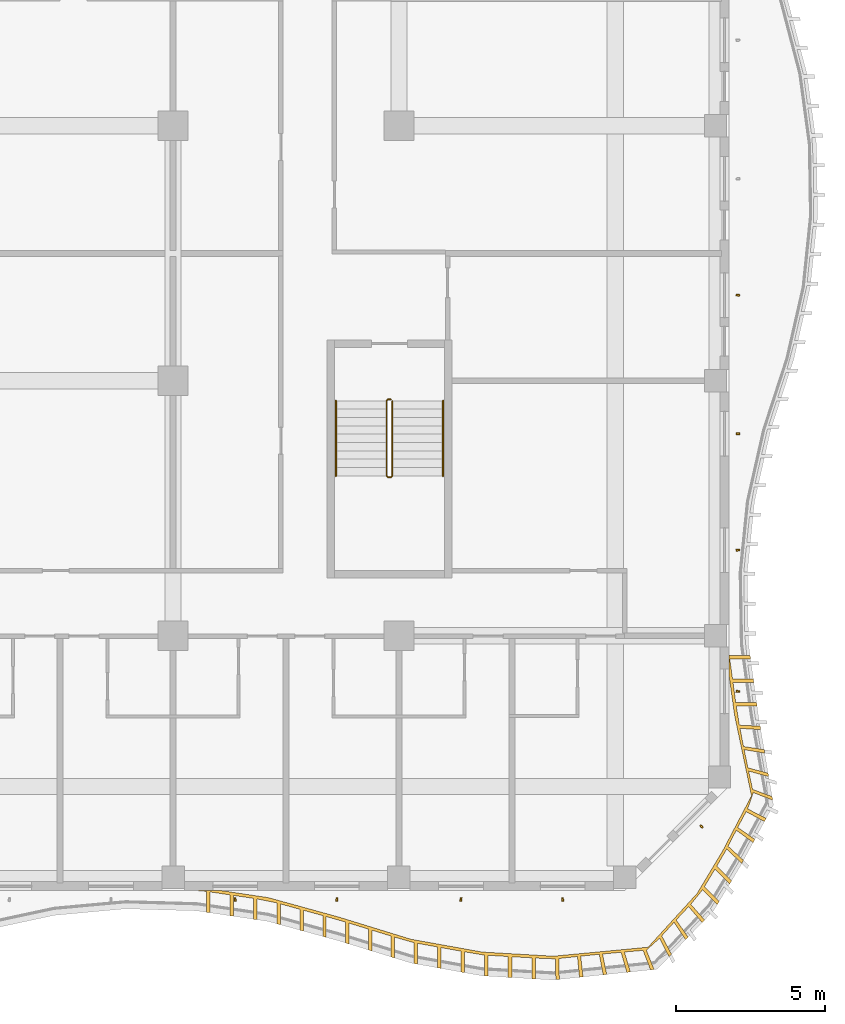
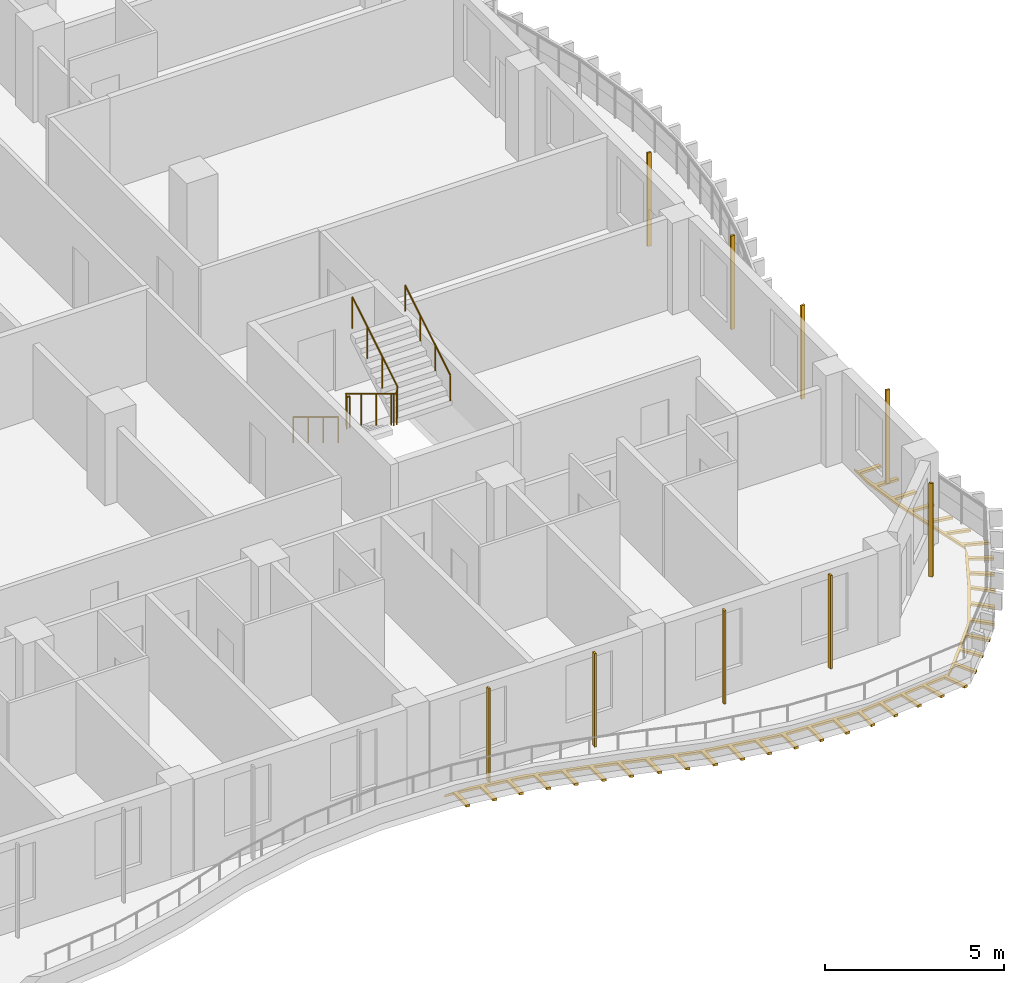
# One storey, part 18 of 22: 10 shading devices, 3 railings.
"""IFC4 building model written with IfcOpenShell, lengths in metres."""

import ifcopenshell
import ifcopenshell.guid

model = None  # the IFC model being written
_history = None  # IfcOwnerHistory: only IFC2X3 demands one
_inside = {}  # id of a spatial element -> (the spatial element, [elements in it])
_under = {}  # id of a project, library or spatial element -> (it, [spatial elements below it])
_declared = {}  # id of a project -> (the project, [libraries it declares])
_typed = {}  # id of a type object -> (the type object, [elements of that type])
_made_of = {}  # id of a material, layer set ... -> (it, [elements and type objects made of it])


def new_model(schema):
    """Start an empty IFC model of exactly this schema.

    Asked for "IFC4X3", IfcOpenShell would pick the latest addendum, in which some entities
    have other attributes; the version numbers below select the first issue.
    IFC2X3 requires an IfcOwnerHistory on every rooted entity: one is made here for all.
    """
    global model, _history
    if schema == "IFC4X3":
        model = ifcopenshell.file(schema_version=(4, 3, 0, 0))
    else:
        model = ifcopenshell.file(schema=schema)
    _inside.clear()
    _under.clear()
    _declared.clear()
    _typed.clear()
    _made_of.clear()
    _history = None
    if model.schema == "IFC2X3":
        org = make("IfcOrganization", Name="unknown")
        user = make(
            "IfcPersonAndOrganization",
            ThePerson=make("IfcPerson", FamilyName="unknown"),
            TheOrganization=org,
        )
        app = make(
            "IfcApplication",
            ApplicationDeveloper=org,
            Version="unknown",
            ApplicationFullName="unknown",
            ApplicationIdentifier="unknown",
        )
        _history = make(
            "IfcOwnerHistory",
            OwningUser=user,
            OwningApplication=app,
            ChangeAction="ADDED",
            CreationDate=0,
        )
    return model


def make(cls, **values):
    """One entity of the class cls with the attributes given. An attribute that is None is left unset."""
    return model.create_entity(
        cls, **{name: value for name, value in values.items() if value is not None}
    )


def rooted(cls, **values):
    """An entity with a GlobalId (a new one), such as an element, a storey or a relation."""
    return make(cls, GlobalId=ifcopenshell.guid.new(), OwnerHistory=_history, **values)


def si_unit(unit_type, name, prefix=None):
    """IfcSIUnit, for example si_unit("LENGTHUNIT", "METRE", prefix="MILLI")."""
    return make("IfcSIUnit", UnitType=unit_type, Prefix=prefix, Name=name)


def assignment(units):
    """IfcUnitAssignment: the units of a project."""
    return None if units is None else make("IfcUnitAssignment", Units=units)


def point(xyz):
    """IfcCartesianPoint."""
    return None if xyz is None else make("IfcCartesianPoint", Coordinates=xyz)


def direction(xyz):
    """IfcDirection."""
    return None if xyz is None else make("IfcDirection", DirectionRatios=xyz)


def frame(location, z_axis=None, x_axis=None):
    """IfcAxis2Placement3D, a coordinate frame: its origin and axes. An axis left out is left unset."""
    return make(
        "IfcAxis2Placement3D",
        Location=point(location),
        Axis=direction(z_axis),
        RefDirection=direction(x_axis),
    )


def frame_2d(location, x_axis=None):
    """IfcAxis2Placement2D, a coordinate frame in the plane: its origin and x axis."""
    return make(
        "IfcAxis2Placement2D", Location=point(location), RefDirection=direction(x_axis)
    )


def origin():
    """The frame at (0, 0, 0) with its axes left unset."""
    return frame((0.0, 0.0, 0.0))


def origin_2d():
    """The frame at (0, 0) in the plane with its x axis left unset."""
    return frame_2d((0.0, 0.0))


def place(relative_to, where):
    """IfcLocalPlacement: puts the frame where relative to a parent placement (None: the world)."""
    return make(
        "IfcLocalPlacement", PlacementRelTo=relative_to, RelativePlacement=where
    )


def context(
    kind, dimensions, precision=None, world=None, true_north=None, identifier=None
):
    """IfcGeometricRepresentationContext, for example the 3D "Model" context."""
    return make(
        "IfcGeometricRepresentationContext",
        ContextIdentifier=identifier,
        ContextType=kind,
        CoordinateSpaceDimension=dimensions,
        Precision=precision,
        WorldCoordinateSystem=world,
        TrueNorth=true_north,
    )


def subcontext(parent, identifier, kind, view, scale=None):
    """IfcGeometricRepresentationSubContext, for example "Body" below "Model"."""
    return make(
        "IfcGeometricRepresentationSubContext",
        ContextIdentifier=identifier,
        ContextType=kind,
        ParentContext=parent,
        TargetScale=scale,
        TargetView=view,
    )


def project(units=None, contexts=None):
    """IfcProject with its units and contexts."""
    return rooted(
        "IfcProject",
        Name="project",
        RepresentationContexts=contexts,
        UnitsInContext=assignment(units),
    )


def spatial(cls, under=None, at=None, **own):
    """A site, building, storey or space (cls), placed at a placement, below another one or the project."""
    s = rooted(cls, ObjectPlacement=at, **own)
    if under is not None:
        _under.setdefault(under.id(), (under, []))[1].append(s)
    return s


def polyline(points):
    """IfcPolyline through the points."""
    return make("IfcPolyline", Points=[point(p) for p in points])


def profile(cls, at=None, kind="AREA", **sizes):
    """A parametric profile (cls). Its sizes go by their IFC names, for example OverallWidth=200.0."""
    return make(cls, ProfileType=kind, Position=at, **sizes)


def rectangle(**sizes):
    """IfcRectangleProfileDef."""
    return profile("IfcRectangleProfileDef", **sizes)


def circle(**sizes):
    """IfcCircleProfileDef."""
    return profile("IfcCircleProfileDef", **sizes)


def outline(outer, holes=None, kind="AREA"):
    """IfcArbitraryClosedProfileDef: a profile drawn as a closed curve; with holes, ...WithVoids."""
    if holes is None:
        return make("IfcArbitraryClosedProfileDef", ProfileType=kind, OuterCurve=outer)
    return make(
        "IfcArbitraryProfileDefWithVoids",
        ProfileType=kind,
        OuterCurve=outer,
        InnerCurves=holes,
    )


def extrude(swept, where, along, depth):
    """IfcExtrudedAreaSolid: the profile swept, set in the frame where, extruded along a direction by depth."""
    return make(
        "IfcExtrudedAreaSolid",
        SweptArea=swept,
        Position=where,
        ExtrudedDirection=direction(along),
        Depth=depth,
    )


def shape(context_of_items, identifier, shape_type, items):
    """IfcShapeRepresentation: the items that make up one representation, for example the "Body"."""
    return make(
        "IfcShapeRepresentation",
        ContextOfItems=context_of_items,
        RepresentationIdentifier=identifier,
        RepresentationType=shape_type,
        Items=items,
    )


def source(mapping_origin, context_of_items, identifier, shape_type, items):
    """IfcRepresentationMap: a shape defined once, which mapped items show again and again."""
    return make(
        "IfcRepresentationMap",
        MappingOrigin=mapping_origin,
        MappedRepresentation=shape(context_of_items, identifier, shape_type, items),
    )


def transform(
    local_origin,
    x_axis=None,
    y_axis=None,
    z_axis=None,
    scale=None,
    scale2=None,
    scale3=None,
    uniform=True,
):
    """IfcCartesianTransformationOperator3D, or its non-uniform kind. x_axis, y_axis, z_axis: its Axis1, 2, 3."""
    if uniform:
        return make(
            "IfcCartesianTransformationOperator3D",
            Axis1=direction(x_axis),
            Axis2=direction(y_axis),
            LocalOrigin=point(local_origin),
            Scale=scale,
            Axis3=direction(z_axis),
        )
    return make(
        "IfcCartesianTransformationOperator3DnonUniform",
        Axis1=direction(x_axis),
        Axis2=direction(y_axis),
        LocalOrigin=point(local_origin),
        Scale=scale,
        Axis3=direction(z_axis),
        Scale2=scale2,
        Scale3=scale3,
    )


def mapped(mapping_source, mapping_target):
    """IfcMappedItem: shows the shape of a source again, moved by a transform."""
    return make(
        "IfcMappedItem", MappingSource=mapping_source, MappingTarget=mapping_target
    )


def material(Name=None, Category=None):
    """IfcMaterial."""
    return make("IfcMaterial", Name=Name, Category=Category)


def layer(
    of_material, thickness, ventilated=None, Name=None, Category=None, Priority=None
):
    """IfcMaterialLayer: one layer of a wall or slab, of a material (None: an air gap)."""
    return make(
        "IfcMaterialLayer",
        Material=of_material,
        LayerThickness=thickness,
        IsVentilated=ventilated,
        Name=Name,
        Category=Category,
        Priority=Priority,
    )


def layer_set(layers, Name=None):
    """IfcMaterialLayerSet."""
    return make("IfcMaterialLayerSet", MaterialLayers=layers, LayerSetName=Name)


def material_profile(
    of_material, cross_section, Name=None, Category=None, Priority=None
):
    """IfcMaterialProfile: a cross section and its material."""
    return make(
        "IfcMaterialProfile",
        Name=Name,
        Material=of_material,
        Profile=cross_section,
        Priority=Priority,
        Category=Category,
    )


def profile_set(profiles, Name=None, composite=None):
    """IfcMaterialProfileSet."""
    return make(
        "IfcMaterialProfileSet",
        Name=Name,
        MaterialProfiles=profiles,
        CompositeProfile=composite,
    )


def made_of(thing, what):
    """Note that an element or type object is made of a material, layer set ...; save() writes the relation."""
    if what is not None:
        _made_of.setdefault(what.id(), (what, []))[1].append(thing)
    return thing


def type_object(cls, material=None, **own):
    """A type object (cls), such as IfcWallType, which elements share."""
    return made_of(rooted(cls, **own), material)


def element(
    cls,
    number,
    at=None,
    inside=None,
    cuts=None,
    type_object=None,
    material=None,
    context=None,
    identifier="Body",
    shape_type=None,
    held_by="IfcProductDefinitionShape",
    body=None,
    shapes=None,
    **own,
):
    """One element of the class cls, such as IfcWall. Its Tag is "e" and its number.

    at: its placement. inside: the storey or other place that contains it. cuts: it is an
    opening in that element (IfcRelVoidsElement). A single representation is given by context,
    identifier, shape_type and body (its items); several are given by shapes. held_by: the class
    of the entity that holds the representations. save() writes the other relations.
    """
    e = rooted(cls, Tag="e%d" % number, ObjectPlacement=at, **own)
    if body is not None:
        shapes = [shape(context, identifier, shape_type, body)]
    if shapes is not None:
        e.Representation = make(held_by, Representations=shapes)
    if inside is not None:
        _inside.setdefault(inside.id(), (inside, []))[1].append(e)
    if cuts is not None:
        rooted(
            "IfcRelVoidsElement", RelatingBuildingElement=cuts, RelatedOpeningElement=e
        )
    if type_object is not None:
        _typed.setdefault(type_object.id(), (type_object, []))[1].append(e)
    return made_of(e, material)


def aggregate(whole, parts):
    """IfcRelAggregates: a whole, such as a stair, and the parts it consists of."""
    return rooted("IfcRelAggregates", RelatingObject=whole, RelatedObjects=parts)


def save(model, path):
    """Write the relations noted so far, then the file.

    IfcRelAggregates (storeys below a building ...), IfcRelContainedInSpatialStructure (elements
    in a storey), IfcRelDefinesByType, IfcRelAssociatesMaterial and IfcRelDeclares: one each for
    every whole, place, type object, material and project.
    """
    for whole, parts in _under.values():
        aggregate(whole, parts)
    for where, things in _inside.values():
        rooted(
            "IfcRelContainedInSpatialStructure",
            RelatedElements=things,
            RelatingStructure=where,
        )
    for kind, things in _typed.values():
        rooted("IfcRelDefinesByType", RelatedObjects=things, RelatingType=kind)
    for what, things in _made_of.values():
        rooted("IfcRelAssociatesMaterial", RelatedObjects=things, RelatingMaterial=what)
    for by, libraries in _declared.values():
        rooted("IfcRelDeclares", RelatingContext=by, RelatedDefinitions=libraries)
    model.write(path)


model = new_model("IFC4")

# Units and contexts
model_context = context("Model", 3, precision=1e-05, world=origin(), true_north=direction((0.0, 1.0)))
body_context = subcontext(model_context, "Body", "Model", "MODEL_VIEW")
ifc_project = project(units=[si_unit("LENGTHUNIT", "METRE"), si_unit("AREAUNIT", "SQUARE_METRE"), si_unit("VOLUMEUNIT", "CUBIC_METRE"), si_unit("PLANEANGLEUNIT", "RADIAN"), si_unit("MASSUNIT", "GRAM", prefix="KILO")], contexts=[model_context])

# Site, building, storey
site_placement = place(None, origin())
site = spatial("IfcSite", under=ifc_project, at=site_placement, CompositionType="ELEMENT")
building_placement = place(site_placement, origin())
building = spatial("IfcBuilding", under=site, at=building_placement, Name="Kilnfold Tower and Market Hall", CompositionType="ELEMENT")
storey_placement = place(building_placement, frame((0.0, 0.0, 206.699951171875)))
storey = spatial("IfcBuildingStorey", under=building, at=storey_placement, Name="L50", CompositionType="ELEMENT", Elevation=206.699951171875)

# Railings
ifc_material_1 = material(Name="Stainless steel 316", Category="steel")
railing_type_1 = type_object("IfcRailingType", Name="CORE STAIR GUARD 1100", PredefinedType="GUARDRAIL", material=ifc_material_1)
railing_1_placement = place(storey_placement, frame((19.89990234375, -9.75, 0.0)))
element("IfcRailing", 1, at=railing_1_placement, inside=storey, type_object=railing_type_1, Name="L50 ST4 stair guard 1", PredefinedType="GUARDRAIL", context=body_context, shape_type="SweptSolid", body=[
    extrude(circle(Radius=0.02392578125, at=origin_2d()), frame((0.0, 0.0, 1.076171875), z_axis=(-1.0, 0.0, 0.0), x_axis=(0.0, -1.0, 0.0)), (0.0, 0.0, 1.0), 0.099853515625),
    extrude(circle(Radius=0.02392578125, at=origin_2d()), frame((-0.099853515625, 0.0, 1.076171875), z_axis=(-0.271562723297, -0.271562723297, 0.923313259209), x_axis=(0.707106781187, -0.707106781187, 0.0)), (0.0, 0.0, 1.0), 0.184326171875),
    extrude(circle(Radius=0.02392578125, at=origin_2d()), frame((-0.14990234375, -0.050048828125, 1.24609375), z_axis=(0.0, -0.854821627497, 0.518921945155), x_axis=(1.0, 0.0, 0.0)), (0.0, 0.0, 1.0), 2.947998046875),
    extrude(circle(Radius=0.02392578125, at=origin_2d()), frame((-0.14990234375, -2.570068359375, 2.77587890625), z_axis=(0.707106781187, -0.707106781187, 0.0), x_axis=(0.707106781187, 0.707106781187, 0.0)), (0.0, 0.0, 1.0), 0.07080078125),
    extrude(circle(Radius=0.02392578125, at=origin_2d()), frame((-0.099853515625, -2.6201171875, 2.77587890625), z_axis=(1.0, 0.0, 0.0), x_axis=(0.0, 1.0, 0.0)), (0.0, 0.0, 1.0), 0.099853515625),
    extrude(circle(Radius=0.02392578125, at=origin_2d()), frame((0.0, -2.6201171875, 2.77587890625), z_axis=(0.271562723297, 0.271562723297, 0.923313259209), x_axis=(-0.707106781187, 0.707106781187, 0.0)), (0.0, 0.0, 1.0), 0.184326171875),
    extrude(circle(Radius=0.02392578125, at=origin_2d()), frame((0.050048828125, -2.570068359375, 2.9462890625), z_axis=(0.0, 0.85478489116, 0.518982456201), x_axis=(-1.0, 0.0, 0.0)), (0.0, 0.0, 1.0), 2.9482421875),
    extrude(circle(Radius=0.02099609375, at=origin_2d()), origin(), (0.0, 0.0, 1.0), 1.052001953125),
    extrude(circle(Radius=0.02099609375, at=origin_2d()), frame((-0.099853515625, 0.0, 0.0)), (0.0, 0.0, 1.0), 1.052001953125),
    extrude(circle(Radius=0.02099609375, at=origin_2d()), frame((-0.14990234375, -0.050048828125, 0.170166015625)), (0.0, 0.0, 1.0), 1.052001953125),
    extrude(circle(Radius=0.02099609375, at=origin_2d()), frame((-0.14990234375, -0.89013671875, 0.68017578125)), (0.0, 0.0, 1.0), 1.052001953125),
    extrude(circle(Radius=0.02099609375, at=origin_2d()), frame((-0.14990234375, -1.72998046875, 1.18994140625)), (0.0, 0.0, 1.0), 1.052001953125),
    extrude(circle(Radius=0.02099609375, at=origin_2d()), frame((-0.14990234375, -2.570068359375, 1.699951171875)), (0.0, 0.0, 1.0), 1.052001953125),
    extrude(circle(Radius=0.02099609375, at=origin_2d()), frame((-0.099853515625, -2.6201171875, 1.699951171875)), (0.0, 0.0, 1.0), 1.052001953125),
    extrude(circle(Radius=0.02099609375, at=origin_2d()), frame((0.0, -2.6201171875, 1.699951171875)), (0.0, 0.0, 1.0), 1.052001953125),
    extrude(circle(Radius=0.02099609375, at=origin_2d()), frame((0.050048828125, -2.570068359375, 1.8701171875)), (0.0, 0.0, 1.0), 1.052001953125),
    extrude(circle(Radius=0.02099609375, at=origin_2d()), frame((0.050048828125, -1.72998046875, 2.380126953125)), (0.0, 0.0, 1.0), 1.052001953125),
    extrude(circle(Radius=0.02099609375, at=origin_2d()), frame((0.050048828125, -0.89013671875, 2.89013671875)), (0.0, 0.0, 1.0), 1.052001953125),
    extrude(circle(Radius=0.02099609375, at=origin_2d()), frame((0.050048828125, -0.050048828125, 3.400146484375)), (0.0, 0.0, 1.0), 1.052001953125),
])
ifc_material_2 = material(Name="Stainless steel 316", Category="steel")
railing_type_2 = type_object("IfcRailingType", Name="CORE STAIR HANDRAIL 900", PredefinedType="HANDRAIL", material=ifc_material_2)
railing_2_placement = place(storey_placement, frame((18.050048828125, -9.800048828125, 0.170166015625)))
element("IfcRailing", 2, at=railing_2_placement, inside=storey, type_object=railing_type_2, Name="L50 ST4 stair handrail 1", PredefinedType="HANDRAIL", context=body_context, shape_type="SweptSolid", body=[
    extrude(circle(Radius=0.02392578125, at=origin_2d()), frame((0.0, 0.0, 0.8759765625), z_axis=(0.0, -0.854821627497, 0.518921945155), x_axis=(1.0, 0.0, 0.0)), (0.0, 0.0, 1.0), 2.947998046875),
    extrude(circle(Radius=0.02099609375, at=origin_2d()), origin(), (0.0, 0.0, 1.0), 0.851806640625),
    extrude(circle(Radius=0.02099609375, at=origin_2d()), frame((0.0, -0.840087890625, 0.510009765625)), (0.0, 0.0, 1.0), 0.851806640625),
    extrude(circle(Radius=0.02099609375, at=origin_2d()), frame((0.0, -1.679931640625, 1.019775390625)), (0.0, 0.0, 1.0), 0.851806640625),
    extrude(circle(Radius=0.02099609375, at=origin_2d()), frame((0.0, -2.52001953125, 1.52978515625)), (0.0, 0.0, 1.0), 0.851806640625),
])
railing_3_placement = place(storey_placement, frame((21.64990234375, -12.320068359375, 1.8701171875)))
element("IfcRailing", 3, at=railing_3_placement, inside=storey, type_object=railing_type_2, Name="L50 ST4 stair handrail 2", PredefinedType="HANDRAIL", context=body_context, shape_type="SweptSolid", body=[
    extrude(circle(Radius=0.02392578125, at=origin_2d()), frame((0.0, 0.0, 0.8759765625), z_axis=(0.0, 0.85478489116, 0.518982456201), x_axis=(-1.0, 0.0, 0.0)), (0.0, 0.0, 1.0), 2.9482421875),
    extrude(circle(Radius=0.02099609375, at=origin_2d()), origin(), (0.0, 0.0, 1.0), 0.851806640625),
    extrude(circle(Radius=0.02099609375, at=origin_2d()), frame((0.0, 0.840087890625, 0.510009765625)), (0.0, 0.0, 1.0), 0.851806640625),
    extrude(circle(Radius=0.02099609375, at=origin_2d()), frame((0.0, 1.679931640625, 1.02001953125)), (0.0, 0.0, 1.0), 0.851806640625),
    extrude(circle(Radius=0.02099609375, at=origin_2d()), frame((0.0, 2.52001953125, 1.530029296875)), (0.0, 0.0, 1.0), 0.851806640625),
])

# Shading devices
ifc_material_3 = material(Name="Terracotta", Category="masonry")
ifc_material_profile = material_profile(ifc_material_3, rectangle(XDim=0.06005859375, YDim=0.1201171875, at=origin_2d()), Name="BAG 60x120")
ifc_profile_set = profile_set([ifc_material_profile], Name="Terracotta")
shading_device_type_1 = type_object("IfcShadingDeviceType", Name="BAGUETTE", PredefinedType="USERDEFINED", material=ifc_profile_set)
shared_shape_1 = source(origin(), body_context, "Body", "SweptSolid", [
    extrude(rectangle(XDim=0.06005859375, YDim=0.1201171875, at=origin_2d()), origin(), (0.0, 0.0, 1.0), 3.179931640625),
])
for number, where, z_axis, x_axis, name in (
    (4, (14.666748046875, -26.550048828125, 0.0), (0.0, 0.0, 1.0), (0.991647317596, 0.128979058397, 0.0), "Terracotta baguette L50 S"),
    (5, (18.083251953125, -26.550048828125, 0.0), (0.0, 0.0, 1.0), (0.998861162729, -0.04771139896, 0.0), "Terracotta baguette L50 S"),
    (6, (22.25, -26.550048828125, 0.0), (0.0, 0.0, 1.0), (0.993810646899, -0.11108734451, 0.0), "Terracotta baguette L50 S"),
    (7, (25.666748046875, -26.550048828125, 0.0), (0.0, 0.0, 1.0), (0.996796630607, 0.079977979529, 0.0), "Terracotta baguette L50 S"),
    (8, (30.329833984375, -24.094482421875, 0.0), (0.0, 0.0, 1.0), (0.697866717034, 0.716227649045, 0.0), "Terracotta baguette L50 SE"),
    (9, (31.550048828125, -19.556884765625, 0.0), (0.0, 0.0, 1.0), (0.123028182034, 0.992403177355, 0.0), "Terracotta baguette L50 E"),
    (10, (31.550048828125, -14.8125, 0.0), (0.0, 0.0, 1.0), (-0.120561336504, 0.992705879977, 0.0), "Terracotta baguette L50 E"),
    (11, (31.550048828125, -10.90625, 0.0), (0.0, 0.0, 1.0), (-0.046834479859, 0.998902663675, 0.0), "Terracotta baguette L50 E"),
    (12, (31.550048828125, -6.25, 0.0), (0.0, 0.0, 1.0), (0.137019257157, 0.990568383893, 0.0), "Terracotta baguette L50 E"),
):
    element("IfcShadingDevice", number, at=place(storey_placement, frame(where, z_axis=z_axis, x_axis=x_axis)), inside=storey, type_object=shading_device_type_1, Name=name, ObjectType="BAGUETTE", PredefinedType="USERDEFINED", context=body_context, shape_type="MappedRepresentation", body=[
        mapped(shared_shape_1, transform((0.0, 0.0, 0.0))),
    ])
ifc_material_4 = material(Name="Bronze anodised aluminium", Category="aluminium")
ifc_layer = layer(ifc_material_4, 0.080078125)
ifc_layer_set = layer_set([ifc_layer], Name="Bronze anodised aluminium")
shading_device_type_2 = type_object("IfcShadingDeviceType", Name="BRONZE SLAT SOFFIT 80", PredefinedType="USERDEFINED", material=ifc_layer_set)
shared_shape_2 = source(origin(), body_context, "Body", "SweptSolid", [
    extrude(outline(polyline([(15.7763671875, -26.482421875), (18.171142578125, -27.142578125), (20.56591796875, -27.87939453125), (22.96044921875, -28.310302734375), (25.355224609375, -28.449951171875), (28.5361328125, -28.14794921875), (30.178955078125, -26.345458984375), (31.053466796875, -24.88671875), (32.0087890625, -23.064208984375), (31.43896484375, -20.355224609375), (31.25, -18.982177734375), (31.25, -18.2001953125), (31.2626953125, -18.348876953125), (31.962890625, -18.348876953125), (31.979248046875, -18.4677734375), (31.279296875, -18.4677734375), (31.371826171875, -19.141357421875), (32.072021484375, -19.141357421875), (32.08837890625, -19.26025390625), (31.38818359375, -19.26025390625), (31.48095703125, -19.933837890625), (32.180908203125, -19.933837890625), (32.197509765625, -20.052734375), (31.497314453125, -20.052734375), (31.60205078125, -20.691650390625), (32.30126953125, -20.724609375), (32.3212890625, -20.843017578125), (31.622802734375, -20.79931640625), (31.7421875, -21.40869140625), (32.4345703125, -21.513427734375), (32.454345703125, -21.6318359375), (31.763916015625, -21.516357421875), (31.89013671875, -22.126220703125), (32.567626953125, -22.302490234375), (32.58740234375, -22.420654296875), (31.912841796875, -22.234130859375), (32.044921875, -22.8466796875), (32.70068359375, -23.09130859375), (32.720703125, -23.209716796875), (32.068603515625, -22.955078125), (31.879638671875, -23.503173828125), (32.50146484375, -23.82470703125), (32.4443359375, -23.930419921875), (31.8291015625, -23.59619140625), (31.547119140625, -24.126220703125), (32.1201171875, -24.528076171875), (32.06298828125, -24.633544921875), (31.498046875, -24.220458984375), (31.22412109375, -24.757080078125), (31.739013671875, -25.2314453125), (31.681884765625, -25.3369140625), (31.17626953125, -24.8525390625), (30.842041015625, -25.427978515625), (31.337158203125, -25.923095703125), (31.275390625, -26.02587890625), (30.780517578125, -25.531005859375), (30.4306640625, -26.114013671875), (30.92578125, -26.609130859375), (30.864013671875, -26.7119140625), (30.368896484375, -26.217041015625), (29.97119140625, -26.70849609375), (30.43408203125, -27.23388671875), (30.350830078125, -27.3203125), (29.897216796875, -26.787109375), (29.47998046875, -27.235107421875), (29.879150390625, -27.81005859375), (29.7958984375, -27.896484375), (29.40673828125, -27.314697265625), (28.994140625, -27.769287109375), (29.32421875, -28.386474609375), (29.2412109375, -28.472900390625), (28.92138671875, -27.85009765625), (28.477294921875, -28.248046875), (28.73779296875, -28.89794921875), (28.618408203125, -28.910400390625), (28.36669921875, -28.257080078125), (27.740478515625, -28.310302734375), (27.942138671875, -28.980712890625), (27.82275390625, -28.9931640625), (27.630126953125, -28.3203125), (27.006103515625, -28.377685546875), (27.146484375, -29.0634765625), (27.027099609375, -29.075927734375), (26.89599609375, -28.38818359375), (26.27294921875, -28.45068359375), (26.3505859375, -29.146484375), (26.2314453125, -29.15869140625), (26.1630859375, -28.462158203125), (25.53955078125, -28.529296875), (25.554931640625, -29.229248046875), (25.435791015625, -29.24169921875), (25.429443359375, -28.541748046875), (24.757080078125, -28.51513671875), (24.757080078125, -29.215087890625), (24.63720703125, -29.2080078125), (24.63720703125, -28.508056640625), (23.95849609375, -28.468505859375), (23.95849609375, -29.168701171875), (23.838623046875, -29.16162109375), (23.838623046875, -28.461669921875), (23.159912109375, -28.422119140625), (23.159912109375, -29.1220703125), (23.0400390625, -29.114990234375), (23.0400390625, -28.4150390625), (22.36962890625, -28.30419921875), (22.36962890625, -29.004150390625), (22.25146484375, -28.98291015625), (22.25146484375, -28.28271484375), (21.582275390625, -28.162353515625), (21.582275390625, -28.8623046875), (21.464111328125, -28.841064453125), (21.464111328125, -28.14111328125), (20.794921875, -28.0205078125), (20.794921875, -28.720703125), (20.6767578125, -28.699462890625), (20.6767578125, -27.99951171875), (20.023681640625, -27.8125), (20.023681640625, -28.5126953125), (19.908935546875, -28.477294921875), (19.908935546875, -27.77734375), (19.259033203125, -27.577392578125), (19.259033203125, -28.27734375), (19.144287109375, -28.2421875), (19.144287109375, -27.5419921875), (18.494384765625, -27.342041015625), (18.494384765625, -28.0419921875), (18.3798828125, -28.0068359375), (18.3798828125, -27.306884765625), (17.72607421875, -27.119873046875), (17.72607421875, -27.81982421875), (17.6103515625, -27.7880859375), (17.6103515625, -27.087890625), (16.954833984375, -26.9072265625), (16.954833984375, -27.607421875), (16.839111328125, -27.575439453125), (16.839111328125, -26.87548828125), (16.18359375, -26.694580078125), (16.18359375, -27.394775390625), (16.06787109375, -27.36279296875), (16.06787109375, -26.662841796875), (15.40283203125, -26.527099609375), (15.40283203125, -27.22705078125), (15.2841796875, -27.209228515625), (15.2841796875, -26.50927734375), (14.611572265625, -26.409423828125), (14.611572265625, -27.109619140625), (14.492919921875, -27.091796875), (14.492919921875, -26.391845703125), (13.8203125, -26.2919921875), (13.8203125, -26.991943359375), (13.701416015625, -26.974365234375), (13.701416015625, -26.2744140625), (13.414306640625, -26.25), (14.210693359375, -26.25), (15.7763671875, -26.482421875)])), origin(), (0.0, 0.0, 1.0), 0.080078125),
])
shading_device_placement = place(storey_placement, frame((0.0, 0.0, -0.300048828125)))
element("IfcShadingDevice", 13, at=shading_device_placement, inside=storey, type_object=shading_device_type_2, Name="Balcony soffit slats L50", ObjectType="SLAT", PredefinedType="USERDEFINED", context=body_context, shape_type="MappedRepresentation", body=[
    mapped(shared_shape_2, transform((0.0, 0.0, 0.0))),
])

save(model, "model.ifc")
